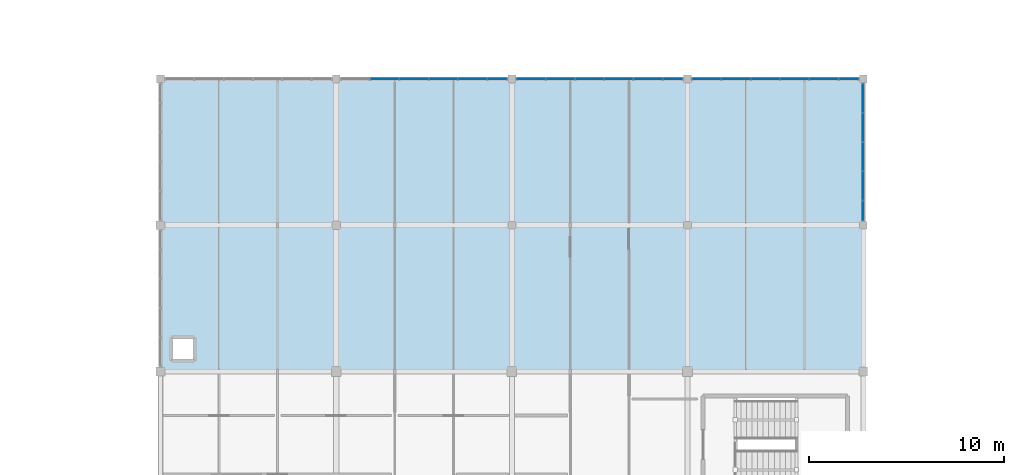
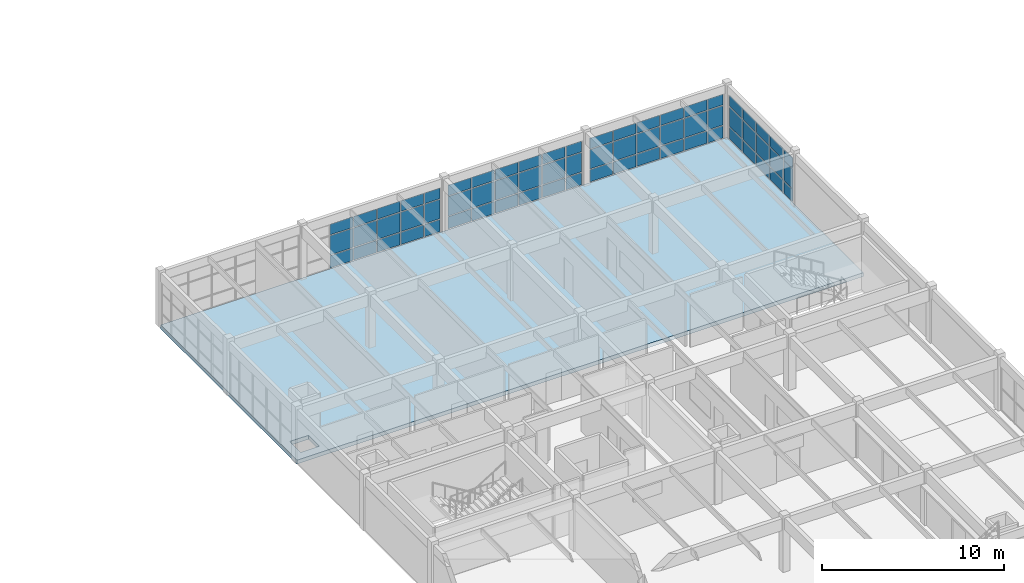
# One storey, part 60 of 81: 66 plates, 1 slab, 4 elements without a shape of their own.
"""IFC4 building model written with IfcOpenShell, lengths in metres."""

import ifcopenshell
import ifcopenshell.guid

model = None  # the IFC model being written
_history = None  # IfcOwnerHistory: only IFC2X3 demands one
_inside = {}  # id of a spatial element -> (the spatial element, [elements in it])
_under = {}  # id of a project, library or spatial element -> (it, [spatial elements below it])
_declared = {}  # id of a project -> (the project, [libraries it declares])
_typed = {}  # id of a type object -> (the type object, [elements of that type])
_made_of = {}  # id of a material, layer set ... -> (it, [elements and type objects made of it])


def new_model(schema):
    """Start an empty IFC model of exactly this schema.

    Asked for "IFC4X3", IfcOpenShell would pick the latest addendum, in which some entities
    have other attributes; the version numbers below select the first issue.
    IFC2X3 requires an IfcOwnerHistory on every rooted entity: one is made here for all.
    """
    global model, _history
    if schema == "IFC4X3":
        model = ifcopenshell.file(schema_version=(4, 3, 0, 0))
    else:
        model = ifcopenshell.file(schema=schema)
    _inside.clear()
    _under.clear()
    _declared.clear()
    _typed.clear()
    _made_of.clear()
    _history = None
    if model.schema == "IFC2X3":
        org = make("IfcOrganization", Name="unknown")
        user = make(
            "IfcPersonAndOrganization",
            ThePerson=make("IfcPerson", FamilyName="unknown"),
            TheOrganization=org,
        )
        app = make(
            "IfcApplication",
            ApplicationDeveloper=org,
            Version="unknown",
            ApplicationFullName="unknown",
            ApplicationIdentifier="unknown",
        )
        _history = make(
            "IfcOwnerHistory",
            OwningUser=user,
            OwningApplication=app,
            ChangeAction="ADDED",
            CreationDate=0,
        )
    return model


def make(cls, **values):
    """One entity of the class cls with the attributes given. An attribute that is None is left unset."""
    return model.create_entity(
        cls, **{name: value for name, value in values.items() if value is not None}
    )


def rooted(cls, **values):
    """An entity with a GlobalId (a new one), such as an element, a storey or a relation."""
    return make(cls, GlobalId=ifcopenshell.guid.new(), OwnerHistory=_history, **values)


def si_unit(unit_type, name, prefix=None):
    """IfcSIUnit, for example si_unit("LENGTHUNIT", "METRE", prefix="MILLI")."""
    return make("IfcSIUnit", UnitType=unit_type, Prefix=prefix, Name=name)


def assignment(units):
    """IfcUnitAssignment: the units of a project."""
    return None if units is None else make("IfcUnitAssignment", Units=units)


def point(xyz):
    """IfcCartesianPoint."""
    return None if xyz is None else make("IfcCartesianPoint", Coordinates=xyz)


def direction(xyz):
    """IfcDirection."""
    return None if xyz is None else make("IfcDirection", DirectionRatios=xyz)


def frame(location, z_axis=None, x_axis=None):
    """IfcAxis2Placement3D, a coordinate frame: its origin and axes. An axis left out is left unset."""
    return make(
        "IfcAxis2Placement3D",
        Location=point(location),
        Axis=direction(z_axis),
        RefDirection=direction(x_axis),
    )


def frame_2d(location, x_axis=None):
    """IfcAxis2Placement2D, a coordinate frame in the plane: its origin and x axis."""
    return make(
        "IfcAxis2Placement2D", Location=point(location), RefDirection=direction(x_axis)
    )


def origin():
    """The frame at (0, 0, 0) with its axes left unset."""
    return frame((0.0, 0.0, 0.0))


def origin_2d():
    """The frame at (0, 0) in the plane with its x axis left unset."""
    return frame_2d((0.0, 0.0))


def place(relative_to, where):
    """IfcLocalPlacement: puts the frame where relative to a parent placement (None: the world)."""
    return make(
        "IfcLocalPlacement", PlacementRelTo=relative_to, RelativePlacement=where
    )


def context(
    kind, dimensions, precision=None, world=None, true_north=None, identifier=None
):
    """IfcGeometricRepresentationContext, for example the 3D "Model" context."""
    return make(
        "IfcGeometricRepresentationContext",
        ContextIdentifier=identifier,
        ContextType=kind,
        CoordinateSpaceDimension=dimensions,
        Precision=precision,
        WorldCoordinateSystem=world,
        TrueNorth=true_north,
    )


def subcontext(parent, identifier, kind, view, scale=None):
    """IfcGeometricRepresentationSubContext, for example "Body" below "Model"."""
    return make(
        "IfcGeometricRepresentationSubContext",
        ContextIdentifier=identifier,
        ContextType=kind,
        ParentContext=parent,
        TargetScale=scale,
        TargetView=view,
    )


def project(units=None, contexts=None):
    """IfcProject with its units and contexts."""
    return rooted(
        "IfcProject",
        Name="project",
        RepresentationContexts=contexts,
        UnitsInContext=assignment(units),
    )


def spatial(cls, under=None, at=None, **own):
    """A site, building, storey or space (cls), placed at a placement, below another one or the project."""
    s = rooted(cls, ObjectPlacement=at, **own)
    if under is not None:
        _under.setdefault(under.id(), (under, []))[1].append(s)
    return s


def polyline(points):
    """IfcPolyline through the points."""
    return make("IfcPolyline", Points=[point(p) for p in points])


def profile(cls, at=None, kind="AREA", **sizes):
    """A parametric profile (cls). Its sizes go by their IFC names, for example OverallWidth=200.0."""
    return make(cls, ProfileType=kind, Position=at, **sizes)


def rectangle(**sizes):
    """IfcRectangleProfileDef."""
    return profile("IfcRectangleProfileDef", **sizes)


def outline(outer, holes=None, kind="AREA"):
    """IfcArbitraryClosedProfileDef: a profile drawn as a closed curve; with holes, ...WithVoids."""
    if holes is None:
        return make("IfcArbitraryClosedProfileDef", ProfileType=kind, OuterCurve=outer)
    return make(
        "IfcArbitraryProfileDefWithVoids",
        ProfileType=kind,
        OuterCurve=outer,
        InnerCurves=holes,
    )


def extrude(swept, where, along, depth):
    """IfcExtrudedAreaSolid: the profile swept, set in the frame where, extruded along a direction by depth."""
    return make(
        "IfcExtrudedAreaSolid",
        SweptArea=swept,
        Position=where,
        ExtrudedDirection=direction(along),
        Depth=depth,
    )


def shape(context_of_items, identifier, shape_type, items):
    """IfcShapeRepresentation: the items that make up one representation, for example the "Body"."""
    return make(
        "IfcShapeRepresentation",
        ContextOfItems=context_of_items,
        RepresentationIdentifier=identifier,
        RepresentationType=shape_type,
        Items=items,
    )


def material(Name=None, Category=None):
    """IfcMaterial."""
    return make("IfcMaterial", Name=Name, Category=Category)


def layer(
    of_material, thickness, ventilated=None, Name=None, Category=None, Priority=None
):
    """IfcMaterialLayer: one layer of a wall or slab, of a material (None: an air gap)."""
    return make(
        "IfcMaterialLayer",
        Material=of_material,
        LayerThickness=thickness,
        IsVentilated=ventilated,
        Name=Name,
        Category=Category,
        Priority=Priority,
    )


def layer_set(layers, Name=None):
    """IfcMaterialLayerSet."""
    return make("IfcMaterialLayerSet", MaterialLayers=layers, LayerSetName=Name)


def made_of(thing, what):
    """Note that an element or type object is made of a material, layer set ...; save() writes the relation."""
    if what is not None:
        _made_of.setdefault(what.id(), (what, []))[1].append(thing)
    return thing


def type_object(cls, material=None, **own):
    """A type object (cls), such as IfcWallType, which elements share."""
    return made_of(rooted(cls, **own), material)


def element(
    cls,
    number,
    at=None,
    inside=None,
    cuts=None,
    type_object=None,
    material=None,
    context=None,
    identifier="Body",
    shape_type=None,
    held_by="IfcProductDefinitionShape",
    body=None,
    shapes=None,
    **own,
):
    """One element of the class cls, such as IfcWall. Its Tag is "e" and its number.

    at: its placement. inside: the storey or other place that contains it. cuts: it is an
    opening in that element (IfcRelVoidsElement). A single representation is given by context,
    identifier, shape_type and body (its items); several are given by shapes. held_by: the class
    of the entity that holds the representations. save() writes the other relations.
    """
    e = rooted(cls, Tag="e%d" % number, ObjectPlacement=at, **own)
    if body is not None:
        shapes = [shape(context, identifier, shape_type, body)]
    if shapes is not None:
        e.Representation = make(held_by, Representations=shapes)
    if inside is not None:
        _inside.setdefault(inside.id(), (inside, []))[1].append(e)
    if cuts is not None:
        rooted(
            "IfcRelVoidsElement", RelatingBuildingElement=cuts, RelatedOpeningElement=e
        )
    if type_object is not None:
        _typed.setdefault(type_object.id(), (type_object, []))[1].append(e)
    return made_of(e, material)


def aggregate(whole, parts):
    """IfcRelAggregates: a whole, such as a stair, and the parts it consists of."""
    return rooted("IfcRelAggregates", RelatingObject=whole, RelatedObjects=parts)


def save(model, path):
    """Write the relations noted so far, then the file.

    IfcRelAggregates (storeys below a building ...), IfcRelContainedInSpatialStructure (elements
    in a storey), IfcRelDefinesByType, IfcRelAssociatesMaterial and IfcRelDeclares: one each for
    every whole, place, type object, material and project.
    """
    for whole, parts in _under.values():
        aggregate(whole, parts)
    for where, things in _inside.values():
        rooted(
            "IfcRelContainedInSpatialStructure",
            RelatedElements=things,
            RelatingStructure=where,
        )
    for kind, things in _typed.values():
        rooted("IfcRelDefinesByType", RelatedObjects=things, RelatingType=kind)
    for what, things in _made_of.values():
        rooted("IfcRelAssociatesMaterial", RelatedObjects=things, RelatingMaterial=what)
    for by, libraries in _declared.values():
        rooted("IfcRelDeclares", RelatingContext=by, RelatedDefinitions=libraries)
    model.write(path)


model = new_model("IFC4")

# Units and contexts
model_context = context("Model", 3, precision=1e-05, world=origin(), true_north=direction((0.0, 1.0)))
body_context = subcontext(model_context, "Body", "Model", "MODEL_VIEW")
ifc_project = project(units=[si_unit("LENGTHUNIT", "METRE"), si_unit("AREAUNIT", "SQUARE_METRE"), si_unit("VOLUMEUNIT", "CUBIC_METRE"), si_unit("PLANEANGLEUNIT", "RADIAN"), si_unit("MASSUNIT", "GRAM", prefix="KILO")], contexts=[model_context])

# Site, building, storey
site_placement = place(None, origin())
site = spatial("IfcSite", under=ifc_project, at=site_placement, CompositionType="ELEMENT")
building_placement = place(site_placement, origin())
building = spatial("IfcBuilding", under=site, at=building_placement, Name="Marnridge Secondary College", CompositionType="ELEMENT")
storey_placement = place(building_placement, frame((0.0, 0.0, 8.5)))
storey = spatial("IfcBuildingStorey", under=building, at=storey_placement, Name="L02", CompositionType="ELEMENT", Elevation=8.5)

# Curtain wall, plates
ifc_material_1 = material(Name="Thermally broken aluminium and low-E glazing", Category="aluminium")
ifc_layer_1 = layer(ifc_material_1, 0.159912109375)
ifc_layer_set_1 = layer_set([ifc_layer_1], Name="CW-MOD-1500")
curtain_wall_type = type_object("IfcCurtainWallType", Name="CW-MOD-1500", PredefinedType="NOTDEFINED", material=ifc_layer_set_1)
curtain_wall_1_placement = place(storey_placement, origin())
curtain_wall_1 = element("IfcCurtainWall", 1, at=curtain_wall_1_placement, inside=storey, type_object=curtain_wall_type, Name="Unitised curtain wall CW-L02-074", PredefinedType="NOTDEFINED")
ifc_material_2 = material(Name="Double-glazed low-E argon unit", Category="glass")
ifc_layer_2 = layer(ifc_material_2, 0.028076171875)
ifc_layer_set_2 = layer_set([ifc_layer_2], Name="CWP-GLZ28")
plate_type = type_object("IfcPlateType", Name="CWP-GLZ28", PredefinedType="CURTAIN_PANEL", material=ifc_layer_set_2)
plate_1_placement = place(storey_placement, frame((65.48388671875, 82.5, 0.06005859375), z_axis=(0.0, 0.0, 1.0), x_axis=(1.0, 0.0, 0.0)))
plate_1 = element("IfcPlate", 2, at=plate_1_placement, type_object=plate_type, Name="CW-L02-074 panel 2.1", PredefinedType="CURTAIN_PANEL", context=body_context, shape_type="SweptSolid", body=[
    extrude(rectangle(XDim=1.43994140625, YDim=0.028076171875, at=origin_2d()), origin(), (0.0, 0.0, 1.0), 0.81005859375),
])
plate_2_placement = place(storey_placement, frame((65.48388671875, 82.5, 0.929931640625), z_axis=(0.0, 0.0, 1.0), x_axis=(1.0, 0.0, 0.0)))
plate_2 = element("IfcPlate", 3, at=plate_2_placement, type_object=plate_type, Name="CW-L02-074 panel 2.2", PredefinedType="CURTAIN_PANEL", context=body_context, shape_type="SweptSolid", body=[
    extrude(rectangle(XDim=1.43994140625, YDim=0.028076171875, at=origin_2d()), origin(), (0.0, 0.0, 1.0), 1.2900390625),
])
plate_3_placement = place(storey_placement, frame((65.48388671875, 82.5, 2.280029296875), z_axis=(0.0, 0.0, 1.0), x_axis=(1.0, 0.0, 0.0)))
plate_3 = element("IfcPlate", 4, at=plate_3_placement, type_object=plate_type, Name="CW-L02-074 panel 2.3", PredefinedType="CURTAIN_PANEL", context=body_context, shape_type="SweptSolid", body=[
    extrude(rectangle(XDim=1.43994140625, YDim=0.028076171875, at=origin_2d()), origin(), (0.0, 0.0, 1.0), 0.70703125),
])
plate_4_placement = place(storey_placement, frame((66.98388671875, 82.5, 0.06005859375), z_axis=(0.0, 0.0, 1.0), x_axis=(1.0, 0.0, 0.0)))
plate_4 = element("IfcPlate", 5, at=plate_4_placement, type_object=plate_type, Name="CW-L02-074 panel 3.1", PredefinedType="CURTAIN_PANEL", context=body_context, shape_type="SweptSolid", body=[
    extrude(rectangle(XDim=1.43994140625, YDim=0.028076171875, at=origin_2d()), origin(), (0.0, 0.0, 1.0), 0.81005859375),
])
plate_5_placement = place(storey_placement, frame((66.98388671875, 82.5, 0.929931640625), z_axis=(0.0, 0.0, 1.0), x_axis=(1.0, 0.0, 0.0)))
plate_5 = element("IfcPlate", 6, at=plate_5_placement, type_object=plate_type, Name="CW-L02-074 panel 3.2", PredefinedType="CURTAIN_PANEL", context=body_context, shape_type="SweptSolid", body=[
    extrude(rectangle(XDim=1.43994140625, YDim=0.028076171875, at=origin_2d()), origin(), (0.0, 0.0, 1.0), 1.2900390625),
])
plate_6_placement = place(storey_placement, frame((66.98388671875, 82.5, 2.280029296875), z_axis=(0.0, 0.0, 1.0), x_axis=(1.0, 0.0, 0.0)))
plate_6 = element("IfcPlate", 7, at=plate_6_placement, type_object=plate_type, Name="CW-L02-074 panel 3.3", PredefinedType="CURTAIN_PANEL", context=body_context, shape_type="SweptSolid", body=[
    extrude(rectangle(XDim=1.43994140625, YDim=0.028076171875, at=origin_2d()), origin(), (0.0, 0.0, 1.0), 0.70703125),
])
plate_7_placement = place(storey_placement, frame((68.48388671875, 82.5, 0.06005859375), z_axis=(0.0, 0.0, 1.0), x_axis=(1.0, 0.0, 0.0)))
plate_7 = element("IfcPlate", 8, at=plate_7_placement, type_object=plate_type, Name="CW-L02-074 panel 4.1", PredefinedType="CURTAIN_PANEL", context=body_context, shape_type="SweptSolid", body=[
    extrude(rectangle(XDim=1.43994140625, YDim=0.028076171875, at=origin_2d()), origin(), (0.0, 0.0, 1.0), 0.81005859375),
])
plate_8_placement = place(storey_placement, frame((68.48388671875, 82.5, 0.929931640625), z_axis=(0.0, 0.0, 1.0), x_axis=(1.0, 0.0, 0.0)))
plate_8 = element("IfcPlate", 9, at=plate_8_placement, type_object=plate_type, Name="CW-L02-074 panel 4.2", PredefinedType="CURTAIN_PANEL", context=body_context, shape_type="SweptSolid", body=[
    extrude(rectangle(XDim=1.43994140625, YDim=0.028076171875, at=origin_2d()), origin(), (0.0, 0.0, 1.0), 1.2900390625),
])
plate_9_placement = place(storey_placement, frame((68.48388671875, 82.5, 2.280029296875), z_axis=(0.0, 0.0, 1.0), x_axis=(1.0, 0.0, 0.0)))
plate_9 = element("IfcPlate", 10, at=plate_9_placement, type_object=plate_type, Name="CW-L02-074 panel 4.3", PredefinedType="CURTAIN_PANEL", context=body_context, shape_type="SweptSolid", body=[
    extrude(rectangle(XDim=1.43994140625, YDim=0.028076171875, at=origin_2d()), origin(), (0.0, 0.0, 1.0), 0.70703125),
])
plate_10_placement = place(storey_placement, frame((69.98388671875, 82.5, 0.06005859375), z_axis=(0.0, 0.0, 1.0), x_axis=(1.0, 0.0, 0.0)))
plate_10 = element("IfcPlate", 11, at=plate_10_placement, type_object=plate_type, Name="CW-L02-074 panel 5.1", PredefinedType="CURTAIN_PANEL", context=body_context, shape_type="SweptSolid", body=[
    extrude(rectangle(XDim=1.43994140625, YDim=0.028076171875, at=origin_2d()), origin(), (0.0, 0.0, 1.0), 0.81005859375),
])
plate_11_placement = place(storey_placement, frame((69.98388671875, 82.5, 0.929931640625), z_axis=(0.0, 0.0, 1.0), x_axis=(1.0, 0.0, 0.0)))
plate_11 = element("IfcPlate", 12, at=plate_11_placement, type_object=plate_type, Name="CW-L02-074 panel 5.2", PredefinedType="CURTAIN_PANEL", context=body_context, shape_type="SweptSolid", body=[
    extrude(rectangle(XDim=1.43994140625, YDim=0.028076171875, at=origin_2d()), origin(), (0.0, 0.0, 1.0), 1.2900390625),
])
plate_12_placement = place(storey_placement, frame((69.98388671875, 82.5, 2.280029296875), z_axis=(0.0, 0.0, 1.0), x_axis=(1.0, 0.0, 0.0)))
plate_12 = element("IfcPlate", 13, at=plate_12_placement, type_object=plate_type, Name="CW-L02-074 panel 5.3", PredefinedType="CURTAIN_PANEL", context=body_context, shape_type="SweptSolid", body=[
    extrude(rectangle(XDim=1.43994140625, YDim=0.028076171875, at=origin_2d()), origin(), (0.0, 0.0, 1.0), 0.70703125),
])
plate_13_placement = place(storey_placement, frame((71.25, 82.5, 0.06005859375), z_axis=(0.0, 0.0, 1.0), x_axis=(1.0, 0.0, 0.0)))
plate_13 = element("IfcPlate", 14, at=plate_13_placement, type_object=plate_type, Name="CW-L02-074 panel 6.1", PredefinedType="CURTAIN_PANEL", context=body_context, shape_type="SweptSolid", body=[
    extrude(rectangle(XDim=0.971923828125, YDim=0.028076171875, at=origin_2d()), origin(), (0.0, 0.0, 1.0), 0.81005859375),
])
plate_14_placement = place(storey_placement, frame((71.25, 82.5, 0.929931640625), z_axis=(0.0, 0.0, 1.0), x_axis=(1.0, 0.0, 0.0)))
plate_14 = element("IfcPlate", 15, at=plate_14_placement, type_object=plate_type, Name="CW-L02-074 panel 6.2", PredefinedType="CURTAIN_PANEL", context=body_context, shape_type="SweptSolid", body=[
    extrude(rectangle(XDim=0.971923828125, YDim=0.028076171875, at=origin_2d()), origin(), (0.0, 0.0, 1.0), 1.2900390625),
])
plate_15_placement = place(storey_placement, frame((71.25, 82.5, 2.280029296875), z_axis=(0.0, 0.0, 1.0), x_axis=(1.0, 0.0, 0.0)))
plate_15 = element("IfcPlate", 16, at=plate_15_placement, type_object=plate_type, Name="CW-L02-074 panel 6.3", PredefinedType="CURTAIN_PANEL", context=body_context, shape_type="SweptSolid", body=[
    extrude(rectangle(XDim=0.971923828125, YDim=0.028076171875, at=origin_2d()), origin(), (0.0, 0.0, 1.0), 0.70703125),
])
aggregate(curtain_wall_1, [plate_1, plate_2, plate_3, plate_4, plate_5, plate_6, plate_7, plate_8, plate_9, plate_10, plate_11, plate_12, plate_13, plate_14, plate_15])

curtain_wall_2_placement = place(storey_placement, origin())
curtain_wall_2 = element("IfcCurtainWall", 17, at=curtain_wall_2_placement, inside=storey, type_object=curtain_wall_type, Name="Unitised curtain wall CW-L02-075", PredefinedType="NOTDEFINED")
plate_16_placement = place(storey_placement, frame((72.98388671875, 82.5, 0.06005859375), z_axis=(0.0, 0.0, 1.0), x_axis=(1.0, 0.0, 0.0)))
plate_16 = element("IfcPlate", 18, at=plate_16_placement, type_object=plate_type, Name="CW-L02-075 panel 1.1", PredefinedType="CURTAIN_PANEL", context=body_context, shape_type="SweptSolid", body=[
    extrude(rectangle(XDim=1.43994140625, YDim=0.028076171875, at=origin_2d()), origin(), (0.0, 0.0, 1.0), 0.81005859375),
])
plate_17_placement = place(storey_placement, frame((72.98388671875, 82.5, 0.929931640625), z_axis=(0.0, 0.0, 1.0), x_axis=(1.0, 0.0, 0.0)))
plate_17 = element("IfcPlate", 19, at=plate_17_placement, type_object=plate_type, Name="CW-L02-075 panel 1.2", PredefinedType="CURTAIN_PANEL", context=body_context, shape_type="SweptSolid", body=[
    extrude(rectangle(XDim=1.43994140625, YDim=0.028076171875, at=origin_2d()), origin(), (0.0, 0.0, 1.0), 1.2900390625),
])
plate_18_placement = place(storey_placement, frame((72.98388671875, 82.5, 2.280029296875), z_axis=(0.0, 0.0, 1.0), x_axis=(1.0, 0.0, 0.0)))
plate_18 = element("IfcPlate", 20, at=plate_18_placement, type_object=plate_type, Name="CW-L02-075 panel 1.3", PredefinedType="CURTAIN_PANEL", context=body_context, shape_type="SweptSolid", body=[
    extrude(rectangle(XDim=1.43994140625, YDim=0.028076171875, at=origin_2d()), origin(), (0.0, 0.0, 1.0), 0.70703125),
])
plate_19_placement = place(storey_placement, frame((74.48388671875, 82.5, 0.06005859375), z_axis=(0.0, 0.0, 1.0), x_axis=(1.0, 0.0, 0.0)))
plate_19 = element("IfcPlate", 21, at=plate_19_placement, type_object=plate_type, Name="CW-L02-075 panel 2.1", PredefinedType="CURTAIN_PANEL", context=body_context, shape_type="SweptSolid", body=[
    extrude(rectangle(XDim=1.43994140625, YDim=0.028076171875, at=origin_2d()), origin(), (0.0, 0.0, 1.0), 0.81005859375),
])
plate_20_placement = place(storey_placement, frame((74.48388671875, 82.5, 0.929931640625), z_axis=(0.0, 0.0, 1.0), x_axis=(1.0, 0.0, 0.0)))
plate_20 = element("IfcPlate", 22, at=plate_20_placement, type_object=plate_type, Name="CW-L02-075 panel 2.2", PredefinedType="CURTAIN_PANEL", context=body_context, shape_type="SweptSolid", body=[
    extrude(rectangle(XDim=1.43994140625, YDim=0.028076171875, at=origin_2d()), origin(), (0.0, 0.0, 1.0), 1.2900390625),
])
plate_21_placement = place(storey_placement, frame((74.48388671875, 82.5, 2.280029296875), z_axis=(0.0, 0.0, 1.0), x_axis=(1.0, 0.0, 0.0)))
plate_21 = element("IfcPlate", 23, at=plate_21_placement, type_object=plate_type, Name="CW-L02-075 panel 2.3", PredefinedType="CURTAIN_PANEL", context=body_context, shape_type="SweptSolid", body=[
    extrude(rectangle(XDim=1.43994140625, YDim=0.028076171875, at=origin_2d()), origin(), (0.0, 0.0, 1.0), 0.70703125),
])
plate_22_placement = place(storey_placement, frame((75.98388671875, 82.5, 0.06005859375), z_axis=(0.0, 0.0, 1.0), x_axis=(1.0, 0.0, 0.0)))
plate_22 = element("IfcPlate", 24, at=plate_22_placement, type_object=plate_type, Name="CW-L02-075 panel 3.1", PredefinedType="CURTAIN_PANEL", context=body_context, shape_type="SweptSolid", body=[
    extrude(rectangle(XDim=1.43994140625, YDim=0.028076171875, at=origin_2d()), origin(), (0.0, 0.0, 1.0), 0.81005859375),
])
plate_23_placement = place(storey_placement, frame((75.98388671875, 82.5, 0.929931640625), z_axis=(0.0, 0.0, 1.0), x_axis=(1.0, 0.0, 0.0)))
plate_23 = element("IfcPlate", 25, at=plate_23_placement, type_object=plate_type, Name="CW-L02-075 panel 3.2", PredefinedType="CURTAIN_PANEL", context=body_context, shape_type="SweptSolid", body=[
    extrude(rectangle(XDim=1.43994140625, YDim=0.028076171875, at=origin_2d()), origin(), (0.0, 0.0, 1.0), 1.2900390625),
])
plate_24_placement = place(storey_placement, frame((75.98388671875, 82.5, 2.280029296875), z_axis=(0.0, 0.0, 1.0), x_axis=(1.0, 0.0, 0.0)))
plate_24 = element("IfcPlate", 26, at=plate_24_placement, type_object=plate_type, Name="CW-L02-075 panel 3.3", PredefinedType="CURTAIN_PANEL", context=body_context, shape_type="SweptSolid", body=[
    extrude(rectangle(XDim=1.43994140625, YDim=0.028076171875, at=origin_2d()), origin(), (0.0, 0.0, 1.0), 0.70703125),
])
plate_25_placement = place(storey_placement, frame((77.48388671875, 82.5, 0.06005859375), z_axis=(0.0, 0.0, 1.0), x_axis=(1.0, 0.0, 0.0)))
plate_25 = element("IfcPlate", 27, at=plate_25_placement, type_object=plate_type, Name="CW-L02-075 panel 4.1", PredefinedType="CURTAIN_PANEL", context=body_context, shape_type="SweptSolid", body=[
    extrude(rectangle(XDim=1.43994140625, YDim=0.028076171875, at=origin_2d()), origin(), (0.0, 0.0, 1.0), 0.81005859375),
])
plate_26_placement = place(storey_placement, frame((77.48388671875, 82.5, 0.929931640625), z_axis=(0.0, 0.0, 1.0), x_axis=(1.0, 0.0, 0.0)))
plate_26 = element("IfcPlate", 28, at=plate_26_placement, type_object=plate_type, Name="CW-L02-075 panel 4.2", PredefinedType="CURTAIN_PANEL", context=body_context, shape_type="SweptSolid", body=[
    extrude(rectangle(XDim=1.43994140625, YDim=0.028076171875, at=origin_2d()), origin(), (0.0, 0.0, 1.0), 1.2900390625),
])
plate_27_placement = place(storey_placement, frame((77.48388671875, 82.5, 2.280029296875), z_axis=(0.0, 0.0, 1.0), x_axis=(1.0, 0.0, 0.0)))
plate_27 = element("IfcPlate", 29, at=plate_27_placement, type_object=plate_type, Name="CW-L02-075 panel 4.3", PredefinedType="CURTAIN_PANEL", context=body_context, shape_type="SweptSolid", body=[
    extrude(rectangle(XDim=1.43994140625, YDim=0.028076171875, at=origin_2d()), origin(), (0.0, 0.0, 1.0), 0.70703125),
])
plate_28_placement = place(storey_placement, frame((78.98388671875, 82.5, 0.06005859375), z_axis=(0.0, 0.0, 1.0), x_axis=(1.0, 0.0, 0.0)))
plate_28 = element("IfcPlate", 30, at=plate_28_placement, type_object=plate_type, Name="CW-L02-075 panel 5.1", PredefinedType="CURTAIN_PANEL", context=body_context, shape_type="SweptSolid", body=[
    extrude(rectangle(XDim=1.43994140625, YDim=0.028076171875, at=origin_2d()), origin(), (0.0, 0.0, 1.0), 0.81005859375),
])
plate_29_placement = place(storey_placement, frame((78.98388671875, 82.5, 0.929931640625), z_axis=(0.0, 0.0, 1.0), x_axis=(1.0, 0.0, 0.0)))
plate_29 = element("IfcPlate", 31, at=plate_29_placement, type_object=plate_type, Name="CW-L02-075 panel 5.2", PredefinedType="CURTAIN_PANEL", context=body_context, shape_type="SweptSolid", body=[
    extrude(rectangle(XDim=1.43994140625, YDim=0.028076171875, at=origin_2d()), origin(), (0.0, 0.0, 1.0), 1.2900390625),
])
plate_30_placement = place(storey_placement, frame((78.98388671875, 82.5, 2.280029296875), z_axis=(0.0, 0.0, 1.0), x_axis=(1.0, 0.0, 0.0)))
plate_30 = element("IfcPlate", 32, at=plate_30_placement, type_object=plate_type, Name="CW-L02-075 panel 5.3", PredefinedType="CURTAIN_PANEL", context=body_context, shape_type="SweptSolid", body=[
    extrude(rectangle(XDim=1.43994140625, YDim=0.028076171875, at=origin_2d()), origin(), (0.0, 0.0, 1.0), 0.70703125),
])
plate_31_placement = place(storey_placement, frame((80.25, 82.5, 0.06005859375), z_axis=(0.0, 0.0, 1.0), x_axis=(1.0, 0.0, 0.0)))
plate_31 = element("IfcPlate", 33, at=plate_31_placement, type_object=plate_type, Name="CW-L02-075 panel 6.1", PredefinedType="CURTAIN_PANEL", context=body_context, shape_type="SweptSolid", body=[
    extrude(rectangle(XDim=0.971923828125, YDim=0.028076171875, at=origin_2d()), origin(), (0.0, 0.0, 1.0), 0.81005859375),
])
plate_32_placement = place(storey_placement, frame((80.25, 82.5, 0.929931640625), z_axis=(0.0, 0.0, 1.0), x_axis=(1.0, 0.0, 0.0)))
plate_32 = element("IfcPlate", 34, at=plate_32_placement, type_object=plate_type, Name="CW-L02-075 panel 6.2", PredefinedType="CURTAIN_PANEL", context=body_context, shape_type="SweptSolid", body=[
    extrude(rectangle(XDim=0.971923828125, YDim=0.028076171875, at=origin_2d()), origin(), (0.0, 0.0, 1.0), 1.2900390625),
])
plate_33_placement = place(storey_placement, frame((80.25, 82.5, 2.280029296875), z_axis=(0.0, 0.0, 1.0), x_axis=(1.0, 0.0, 0.0)))
plate_33 = element("IfcPlate", 35, at=plate_33_placement, type_object=plate_type, Name="CW-L02-075 panel 6.3", PredefinedType="CURTAIN_PANEL", context=body_context, shape_type="SweptSolid", body=[
    extrude(rectangle(XDim=0.971923828125, YDim=0.028076171875, at=origin_2d()), origin(), (0.0, 0.0, 1.0), 0.70703125),
])
aggregate(curtain_wall_2, [plate_16, plate_17, plate_18, plate_19, plate_20, plate_21, plate_22, plate_23, plate_24, plate_25, plate_26, plate_27, plate_28, plate_29, plate_30, plate_31, plate_32, plate_33])

curtain_wall_3_placement = place(storey_placement, origin())
curtain_wall_3 = element("IfcCurtainWall", 36, at=curtain_wall_3_placement, inside=storey, type_object=curtain_wall_type, Name="Unitised curtain wall CW-L02-076", PredefinedType="NOTDEFINED")
plate_34_placement = place(storey_placement, frame((81.98388671875, 82.5, 0.06005859375), z_axis=(0.0, 0.0, 1.0), x_axis=(1.0, 0.0, 0.0)))
plate_34 = element("IfcPlate", 37, at=plate_34_placement, type_object=plate_type, Name="CW-L02-076 panel 1.1", PredefinedType="CURTAIN_PANEL", context=body_context, shape_type="SweptSolid", body=[
    extrude(rectangle(XDim=1.43994140625, YDim=0.028076171875, at=origin_2d()), origin(), (0.0, 0.0, 1.0), 0.81005859375),
])
plate_35_placement = place(storey_placement, frame((81.98388671875, 82.5, 0.929931640625), z_axis=(0.0, 0.0, 1.0), x_axis=(1.0, 0.0, 0.0)))
plate_35 = element("IfcPlate", 38, at=plate_35_placement, type_object=plate_type, Name="CW-L02-076 panel 1.2", PredefinedType="CURTAIN_PANEL", context=body_context, shape_type="SweptSolid", body=[
    extrude(rectangle(XDim=1.43994140625, YDim=0.028076171875, at=origin_2d()), origin(), (0.0, 0.0, 1.0), 1.2900390625),
])
plate_36_placement = place(storey_placement, frame((81.98388671875, 82.5, 2.280029296875), z_axis=(0.0, 0.0, 1.0), x_axis=(1.0, 0.0, 0.0)))
plate_36 = element("IfcPlate", 39, at=plate_36_placement, type_object=plate_type, Name="CW-L02-076 panel 1.3", PredefinedType="CURTAIN_PANEL", context=body_context, shape_type="SweptSolid", body=[
    extrude(rectangle(XDim=1.43994140625, YDim=0.028076171875, at=origin_2d()), origin(), (0.0, 0.0, 1.0), 0.70703125),
])
plate_37_placement = place(storey_placement, frame((83.48388671875, 82.5, 0.06005859375), z_axis=(0.0, 0.0, 1.0), x_axis=(1.0, 0.0, 0.0)))
plate_37 = element("IfcPlate", 40, at=plate_37_placement, type_object=plate_type, Name="CW-L02-076 panel 2.1", PredefinedType="CURTAIN_PANEL", context=body_context, shape_type="SweptSolid", body=[
    extrude(rectangle(XDim=1.43994140625, YDim=0.028076171875, at=origin_2d()), origin(), (0.0, 0.0, 1.0), 0.81005859375),
])
plate_38_placement = place(storey_placement, frame((83.48388671875, 82.5, 0.929931640625), z_axis=(0.0, 0.0, 1.0), x_axis=(1.0, 0.0, 0.0)))
plate_38 = element("IfcPlate", 41, at=plate_38_placement, type_object=plate_type, Name="CW-L02-076 panel 2.2", PredefinedType="CURTAIN_PANEL", context=body_context, shape_type="SweptSolid", body=[
    extrude(rectangle(XDim=1.43994140625, YDim=0.028076171875, at=origin_2d()), origin(), (0.0, 0.0, 1.0), 1.2900390625),
])
plate_39_placement = place(storey_placement, frame((83.48388671875, 82.5, 2.280029296875), z_axis=(0.0, 0.0, 1.0), x_axis=(1.0, 0.0, 0.0)))
plate_39 = element("IfcPlate", 42, at=plate_39_placement, type_object=plate_type, Name="CW-L02-076 panel 2.3", PredefinedType="CURTAIN_PANEL", context=body_context, shape_type="SweptSolid", body=[
    extrude(rectangle(XDim=1.43994140625, YDim=0.028076171875, at=origin_2d()), origin(), (0.0, 0.0, 1.0), 0.70703125),
])
plate_40_placement = place(storey_placement, frame((84.98388671875, 82.5, 0.06005859375), z_axis=(0.0, 0.0, 1.0), x_axis=(1.0, 0.0, 0.0)))
plate_40 = element("IfcPlate", 43, at=plate_40_placement, type_object=plate_type, Name="CW-L02-076 panel 3.1", PredefinedType="CURTAIN_PANEL", context=body_context, shape_type="SweptSolid", body=[
    extrude(rectangle(XDim=1.43994140625, YDim=0.028076171875, at=origin_2d()), origin(), (0.0, 0.0, 1.0), 0.81005859375),
])
plate_41_placement = place(storey_placement, frame((84.98388671875, 82.5, 0.929931640625), z_axis=(0.0, 0.0, 1.0), x_axis=(1.0, 0.0, 0.0)))
plate_41 = element("IfcPlate", 44, at=plate_41_placement, type_object=plate_type, Name="CW-L02-076 panel 3.2", PredefinedType="CURTAIN_PANEL", context=body_context, shape_type="SweptSolid", body=[
    extrude(rectangle(XDim=1.43994140625, YDim=0.028076171875, at=origin_2d()), origin(), (0.0, 0.0, 1.0), 1.2900390625),
])
plate_42_placement = place(storey_placement, frame((84.98388671875, 82.5, 2.280029296875), z_axis=(0.0, 0.0, 1.0), x_axis=(1.0, 0.0, 0.0)))
plate_42 = element("IfcPlate", 45, at=plate_42_placement, type_object=plate_type, Name="CW-L02-076 panel 3.3", PredefinedType="CURTAIN_PANEL", context=body_context, shape_type="SweptSolid", body=[
    extrude(rectangle(XDim=1.43994140625, YDim=0.028076171875, at=origin_2d()), origin(), (0.0, 0.0, 1.0), 0.70703125),
])
plate_43_placement = place(storey_placement, frame((86.48388671875, 82.5, 0.06005859375), z_axis=(0.0, 0.0, 1.0), x_axis=(1.0, 0.0, 0.0)))
plate_43 = element("IfcPlate", 46, at=plate_43_placement, type_object=plate_type, Name="CW-L02-076 panel 4.1", PredefinedType="CURTAIN_PANEL", context=body_context, shape_type="SweptSolid", body=[
    extrude(rectangle(XDim=1.43994140625, YDim=0.028076171875, at=origin_2d()), origin(), (0.0, 0.0, 1.0), 0.81005859375),
])
plate_44_placement = place(storey_placement, frame((86.48388671875, 82.5, 0.929931640625), z_axis=(0.0, 0.0, 1.0), x_axis=(1.0, 0.0, 0.0)))
plate_44 = element("IfcPlate", 47, at=plate_44_placement, type_object=plate_type, Name="CW-L02-076 panel 4.2", PredefinedType="CURTAIN_PANEL", context=body_context, shape_type="SweptSolid", body=[
    extrude(rectangle(XDim=1.43994140625, YDim=0.028076171875, at=origin_2d()), origin(), (0.0, 0.0, 1.0), 1.2900390625),
])
plate_45_placement = place(storey_placement, frame((86.48388671875, 82.5, 2.280029296875), z_axis=(0.0, 0.0, 1.0), x_axis=(1.0, 0.0, 0.0)))
plate_45 = element("IfcPlate", 48, at=plate_45_placement, type_object=plate_type, Name="CW-L02-076 panel 4.3", PredefinedType="CURTAIN_PANEL", context=body_context, shape_type="SweptSolid", body=[
    extrude(rectangle(XDim=1.43994140625, YDim=0.028076171875, at=origin_2d()), origin(), (0.0, 0.0, 1.0), 0.70703125),
])
plate_46_placement = place(storey_placement, frame((87.98388671875, 82.5, 0.06005859375), z_axis=(0.0, 0.0, 1.0), x_axis=(1.0, 0.0, 0.0)))
plate_46 = element("IfcPlate", 49, at=plate_46_placement, type_object=plate_type, Name="CW-L02-076 panel 5.1", PredefinedType="CURTAIN_PANEL", context=body_context, shape_type="SweptSolid", body=[
    extrude(rectangle(XDim=1.43994140625, YDim=0.028076171875, at=origin_2d()), origin(), (0.0, 0.0, 1.0), 0.81005859375),
])
plate_47_placement = place(storey_placement, frame((87.98388671875, 82.5, 0.929931640625), z_axis=(0.0, 0.0, 1.0), x_axis=(1.0, 0.0, 0.0)))
plate_47 = element("IfcPlate", 50, at=plate_47_placement, type_object=plate_type, Name="CW-L02-076 panel 5.2", PredefinedType="CURTAIN_PANEL", context=body_context, shape_type="SweptSolid", body=[
    extrude(rectangle(XDim=1.43994140625, YDim=0.028076171875, at=origin_2d()), origin(), (0.0, 0.0, 1.0), 1.2900390625),
])
plate_48_placement = place(storey_placement, frame((87.98388671875, 82.5, 2.280029296875), z_axis=(0.0, 0.0, 1.0), x_axis=(1.0, 0.0, 0.0)))
plate_48 = element("IfcPlate", 51, at=plate_48_placement, type_object=plate_type, Name="CW-L02-076 panel 5.3", PredefinedType="CURTAIN_PANEL", context=body_context, shape_type="SweptSolid", body=[
    extrude(rectangle(XDim=1.43994140625, YDim=0.028076171875, at=origin_2d()), origin(), (0.0, 0.0, 1.0), 0.70703125),
])
plate_49_placement = place(storey_placement, frame((89.25, 82.5, 0.06005859375), z_axis=(0.0, 0.0, 1.0), x_axis=(1.0, 0.0, 0.0)))
plate_49 = element("IfcPlate", 52, at=plate_49_placement, type_object=plate_type, Name="CW-L02-076 panel 6.1", PredefinedType="CURTAIN_PANEL", context=body_context, shape_type="SweptSolid", body=[
    extrude(rectangle(XDim=0.971923828125, YDim=0.028076171875, at=origin_2d()), origin(), (0.0, 0.0, 1.0), 0.81005859375),
])
plate_50_placement = place(storey_placement, frame((89.25, 82.5, 0.929931640625), z_axis=(0.0, 0.0, 1.0), x_axis=(1.0, 0.0, 0.0)))
plate_50 = element("IfcPlate", 53, at=plate_50_placement, type_object=plate_type, Name="CW-L02-076 panel 6.2", PredefinedType="CURTAIN_PANEL", context=body_context, shape_type="SweptSolid", body=[
    extrude(rectangle(XDim=0.971923828125, YDim=0.028076171875, at=origin_2d()), origin(), (0.0, 0.0, 1.0), 1.2900390625),
])
plate_51_placement = place(storey_placement, frame((89.25, 82.5, 2.280029296875), z_axis=(0.0, 0.0, 1.0), x_axis=(1.0, 0.0, 0.0)))
plate_51 = element("IfcPlate", 54, at=plate_51_placement, type_object=plate_type, Name="CW-L02-076 panel 6.3", PredefinedType="CURTAIN_PANEL", context=body_context, shape_type="SweptSolid", body=[
    extrude(rectangle(XDim=0.971923828125, YDim=0.028076171875, at=origin_2d()), origin(), (0.0, 0.0, 1.0), 0.70703125),
])
aggregate(curtain_wall_3, [plate_34, plate_35, plate_36, plate_37, plate_38, plate_39, plate_40, plate_41, plate_42, plate_43, plate_44, plate_45, plate_46, plate_47, plate_48, plate_49, plate_50, plate_51])

curtain_wall_4_placement = place(storey_placement, origin())
curtain_wall_4 = element("IfcCurtainWall", 55, at=curtain_wall_4_placement, inside=storey, type_object=curtain_wall_type, Name="Unitised curtain wall CW-L02-077", PredefinedType="NOTDEFINED")
plate_52_placement = place(storey_placement, frame((90.0, 81.51611328125, 0.06005859375), z_axis=(0.0, 0.0, 1.0), x_axis=(0.0, -1.0, 0.0)))
plate_52 = element("IfcPlate", 56, at=plate_52_placement, type_object=plate_type, Name="CW-L02-077 panel 1.1", PredefinedType="CURTAIN_PANEL", context=body_context, shape_type="SweptSolid", body=[
    extrude(rectangle(XDim=1.43994140625, YDim=0.028076171875, at=origin_2d()), origin(), (0.0, 0.0, 1.0), 0.81005859375),
])
plate_53_placement = place(storey_placement, frame((90.0, 81.51611328125, 0.929931640625), z_axis=(0.0, 0.0, 1.0), x_axis=(0.0, -1.0, 0.0)))
plate_53 = element("IfcPlate", 57, at=plate_53_placement, type_object=plate_type, Name="CW-L02-077 panel 1.2", PredefinedType="CURTAIN_PANEL", context=body_context, shape_type="SweptSolid", body=[
    extrude(rectangle(XDim=1.43994140625, YDim=0.028076171875, at=origin_2d()), origin(), (0.0, 0.0, 1.0), 1.2900390625),
])
plate_54_placement = place(storey_placement, frame((90.0, 81.51611328125, 2.280029296875), z_axis=(0.0, 0.0, 1.0), x_axis=(0.0, -1.0, 0.0)))
plate_54 = element("IfcPlate", 58, at=plate_54_placement, type_object=plate_type, Name="CW-L02-077 panel 1.3", PredefinedType="CURTAIN_PANEL", context=body_context, shape_type="SweptSolid", body=[
    extrude(rectangle(XDim=1.43994140625, YDim=0.028076171875, at=origin_2d()), origin(), (0.0, 0.0, 1.0), 0.70703125),
])
plate_55_placement = place(storey_placement, frame((90.0, 80.01611328125, 0.06005859375), z_axis=(0.0, 0.0, 1.0), x_axis=(0.0, -1.0, 0.0)))
plate_55 = element("IfcPlate", 59, at=plate_55_placement, type_object=plate_type, Name="CW-L02-077 panel 2.1", PredefinedType="CURTAIN_PANEL", context=body_context, shape_type="SweptSolid", body=[
    extrude(rectangle(XDim=1.43994140625, YDim=0.028076171875, at=origin_2d()), origin(), (0.0, 0.0, 1.0), 0.81005859375),
])
plate_56_placement = place(storey_placement, frame((90.0, 80.01611328125, 0.929931640625), z_axis=(0.0, 0.0, 1.0), x_axis=(0.0, -1.0, 0.0)))
plate_56 = element("IfcPlate", 60, at=plate_56_placement, type_object=plate_type, Name="CW-L02-077 panel 2.2", PredefinedType="CURTAIN_PANEL", context=body_context, shape_type="SweptSolid", body=[
    extrude(rectangle(XDim=1.43994140625, YDim=0.028076171875, at=origin_2d()), origin(), (0.0, 0.0, 1.0), 1.2900390625),
])
plate_57_placement = place(storey_placement, frame((90.0, 80.01611328125, 2.280029296875), z_axis=(0.0, 0.0, 1.0), x_axis=(0.0, -1.0, 0.0)))
plate_57 = element("IfcPlate", 61, at=plate_57_placement, type_object=plate_type, Name="CW-L02-077 panel 2.3", PredefinedType="CURTAIN_PANEL", context=body_context, shape_type="SweptSolid", body=[
    extrude(rectangle(XDim=1.43994140625, YDim=0.028076171875, at=origin_2d()), origin(), (0.0, 0.0, 1.0), 0.70703125),
])
plate_58_placement = place(storey_placement, frame((90.0, 78.51611328125, 0.06005859375), z_axis=(0.0, 0.0, 1.0), x_axis=(0.0, -1.0, 0.0)))
plate_58 = element("IfcPlate", 62, at=plate_58_placement, type_object=plate_type, Name="CW-L02-077 panel 3.1", PredefinedType="CURTAIN_PANEL", context=body_context, shape_type="SweptSolid", body=[
    extrude(rectangle(XDim=1.43994140625, YDim=0.028076171875, at=origin_2d()), origin(), (0.0, 0.0, 1.0), 0.81005859375),
])
plate_59_placement = place(storey_placement, frame((90.0, 78.51611328125, 0.929931640625), z_axis=(0.0, 0.0, 1.0), x_axis=(0.0, -1.0, 0.0)))
plate_59 = element("IfcPlate", 63, at=plate_59_placement, type_object=plate_type, Name="CW-L02-077 panel 3.2", PredefinedType="CURTAIN_PANEL", context=body_context, shape_type="SweptSolid", body=[
    extrude(rectangle(XDim=1.43994140625, YDim=0.028076171875, at=origin_2d()), origin(), (0.0, 0.0, 1.0), 1.2900390625),
])
plate_60_placement = place(storey_placement, frame((90.0, 78.51611328125, 2.280029296875), z_axis=(0.0, 0.0, 1.0), x_axis=(0.0, -1.0, 0.0)))
plate_60 = element("IfcPlate", 64, at=plate_60_placement, type_object=plate_type, Name="CW-L02-077 panel 3.3", PredefinedType="CURTAIN_PANEL", context=body_context, shape_type="SweptSolid", body=[
    extrude(rectangle(XDim=1.43994140625, YDim=0.028076171875, at=origin_2d()), origin(), (0.0, 0.0, 1.0), 0.70703125),
])
plate_61_placement = place(storey_placement, frame((90.0, 77.01611328125, 0.06005859375), z_axis=(0.0, 0.0, 1.0), x_axis=(0.0, -1.0, 0.0)))
plate_61 = element("IfcPlate", 65, at=plate_61_placement, type_object=plate_type, Name="CW-L02-077 panel 4.1", PredefinedType="CURTAIN_PANEL", context=body_context, shape_type="SweptSolid", body=[
    extrude(rectangle(XDim=1.43994140625, YDim=0.028076171875, at=origin_2d()), origin(), (0.0, 0.0, 1.0), 0.81005859375),
])
plate_62_placement = place(storey_placement, frame((90.0, 77.01611328125, 0.929931640625), z_axis=(0.0, 0.0, 1.0), x_axis=(0.0, -1.0, 0.0)))
plate_62 = element("IfcPlate", 66, at=plate_62_placement, type_object=plate_type, Name="CW-L02-077 panel 4.2", PredefinedType="CURTAIN_PANEL", context=body_context, shape_type="SweptSolid", body=[
    extrude(rectangle(XDim=1.43994140625, YDim=0.028076171875, at=origin_2d()), origin(), (0.0, 0.0, 1.0), 1.2900390625),
])
plate_63_placement = place(storey_placement, frame((90.0, 77.01611328125, 2.280029296875), z_axis=(0.0, 0.0, 1.0), x_axis=(0.0, -1.0, 0.0)))
plate_63 = element("IfcPlate", 67, at=plate_63_placement, type_object=plate_type, Name="CW-L02-077 panel 4.3", PredefinedType="CURTAIN_PANEL", context=body_context, shape_type="SweptSolid", body=[
    extrude(rectangle(XDim=1.43994140625, YDim=0.028076171875, at=origin_2d()), origin(), (0.0, 0.0, 1.0), 0.70703125),
])
plate_64_placement = place(storey_placement, frame((90.0, 75.75, 0.06005859375), z_axis=(0.0, 0.0, 1.0), x_axis=(0.0, -1.0, 0.0)))
plate_64 = element("IfcPlate", 68, at=plate_64_placement, type_object=plate_type, Name="CW-L02-077 panel 5.1", PredefinedType="CURTAIN_PANEL", context=body_context, shape_type="SweptSolid", body=[
    extrude(rectangle(XDim=0.971923828125, YDim=0.028076171875, at=origin_2d()), origin(), (0.0, 0.0, 1.0), 0.81005859375),
])
plate_65_placement = place(storey_placement, frame((90.0, 75.75, 0.929931640625), z_axis=(0.0, 0.0, 1.0), x_axis=(0.0, -1.0, 0.0)))
plate_65 = element("IfcPlate", 69, at=plate_65_placement, type_object=plate_type, Name="CW-L02-077 panel 5.2", PredefinedType="CURTAIN_PANEL", context=body_context, shape_type="SweptSolid", body=[
    extrude(rectangle(XDim=0.971923828125, YDim=0.028076171875, at=origin_2d()), origin(), (0.0, 0.0, 1.0), 1.2900390625),
])
plate_66_placement = place(storey_placement, frame((90.0, 75.75, 2.280029296875), z_axis=(0.0, 0.0, 1.0), x_axis=(0.0, -1.0, 0.0)))
plate_66 = element("IfcPlate", 70, at=plate_66_placement, type_object=plate_type, Name="CW-L02-077 panel 5.3", PredefinedType="CURTAIN_PANEL", context=body_context, shape_type="SweptSolid", body=[
    extrude(rectangle(XDim=0.971923828125, YDim=0.028076171875, at=origin_2d()), origin(), (0.0, 0.0, 1.0), 0.70703125),
])
aggregate(curtain_wall_4, [plate_52, plate_53, plate_54, plate_55, plate_56, plate_57, plate_58, plate_59, plate_60, plate_61, plate_62, plate_63, plate_64, plate_65, plate_66])

# Slab
ifc_material_3 = material(Name="Cross-laminated timber CL7", Category="wood")
ifc_layer_3 = layer(ifc_material_3, 0.260009765625)
ifc_layer_set_3 = layer_set([ifc_layer_3], Name="SL-CLT-260")
slab_type = type_object("IfcSlabType", Name="SL-CLT-260", PredefinedType="FLOOR", material=ifc_layer_set_3)
slab_placement = place(storey_placement, frame((0.0, 0.0, -0.260009765625)))
element("IfcSlab", 71, at=slab_placement, inside=storey, type_object=slab_type, Name="Floor slab SL-L02-028", PredefinedType="FLOOR", context=body_context, shape_type="SweptSolid", body=[
    extrude(outline(polyline([(90.0, 67.5), (54.0, 67.5), (54.0, 82.5), (90.0, 82.5), (90.0, 67.5)]), holes=[polyline([(54.550048828125, 68.050048828125), (55.75, 68.050048828125), (55.75, 69.25), (54.550048828125, 69.25), (54.550048828125, 68.050048828125)])]), origin(), (0.0, 0.0, 1.0), 0.260009765625),
])

save(model, "model.ifc")
